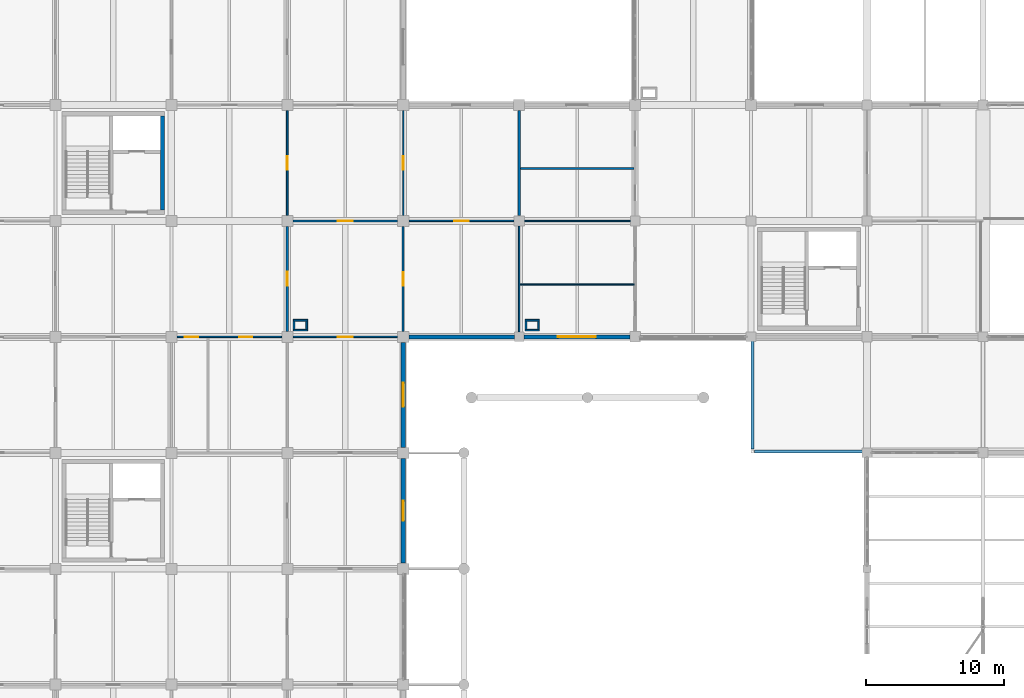
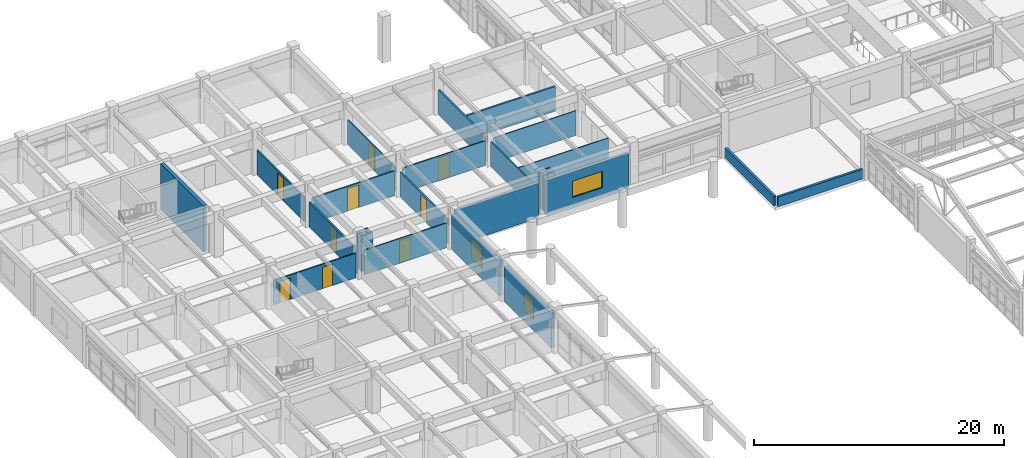
# One storey, part 82 of 99: 28 walls, 9 doors, 3 windows, 12 openings.
"""IFC4 building model written with IfcOpenShell, lengths in metres."""

from ifc_helpers import new_model, si_unit, direction, frame, frame_2d, origin, place, context, subcontext, project, spatial, rectangle, extrude, material, layer, layer_set, type_object, element, fill, save


model = new_model("IFC4")

# Units and contexts
model_context = context("Model", 3, precision=1e-05, world=origin(), true_north=direction((0.0, 1.0)))
body_context = subcontext(model_context, "Body", "Model", "MODEL_VIEW")
ifc_project = project(units=[si_unit("LENGTHUNIT", "METRE"), si_unit("AREAUNIT", "SQUARE_METRE"), si_unit("VOLUMEUNIT", "CUBIC_METRE"), si_unit("PLANEANGLEUNIT", "RADIAN"), si_unit("MASSUNIT", "GRAM", prefix="KILO")], contexts=[model_context])

# Site, building, storey
site_placement = place(None, origin())
site = spatial("IfcSite", under=ifc_project, at=site_placement, CompositionType="ELEMENT")
building_placement = place(site_placement, origin())
building = spatial("IfcBuilding", under=site, at=building_placement, Name="Porcellanite Civic Hall", CompositionType="ELEMENT")
storey_placement = place(building_placement, frame((0.0, 0.0, 5.760009765625)))
storey = spatial("IfcBuildingStorey", under=building, at=storey_placement, Name="L01", CompositionType="ELEMENT", Elevation=5.760009765625)

# Walls
ifc_material_1 = material(Name="Concrete N40 (40 MPa)", Category="concrete")
ifc_layer_1 = layer(ifc_material_1, 0.300048828125)
ifc_layer_set_1 = layer_set([ifc_layer_1], Name="Concrete N40 (40 MPa)")
wall_type_1 = type_object("IfcWallType", Name="CW-SH300", PredefinedType="SHEAR", material=ifc_layer_set_1)
wall_1_placement = place(storey_placement, frame((16.169921875, 66.419921875, 0.0), z_axis=(0.0, 0.0, 1.0), x_axis=(0.0, -1.0, 0.0)))
element("IfcWall", 1, at=wall_1_placement, inside=storey, type_object=wall_type_1, Name="Core wall C2 L01 E", PredefinedType="SHEAR", context=body_context, shape_type="SweptSolid", body=[
    extrude(rectangle(XDim=6.83984375, YDim=0.300048828125, at=frame_2d((3.419921875, 0.0))), origin(), (0.0, 0.0, 1.0), 4.5),
])
ifc_material_2 = material(Name="Precast concrete N40 (40 MPa)", Category="concrete")
ifc_layer_2 = layer(ifc_material_2, 0.280029296875)
ifc_layer_set_2 = layer_set([ifc_layer_2], Name="Precast concrete N40 (40 MPa)")
wall_type_2 = type_object("IfcWallType", Name="EW-CLO280", PredefinedType="SOLIDWALL", material=ifc_layer_set_2)
wall_2_placement = place(storey_placement, frame((41.64892578125, 50.39990234375, 0.0), z_axis=(0.0, 0.0, 1.0), x_axis=(-1.0, 0.0, 0.0)))
element("IfcWall", 2, at=wall_2_placement, inside=storey, type_object=wall_type_2, Name="Exterior wall L01 S 5-7", PredefinedType="SOLIDWALL", context=body_context, shape_type="SweptSolid", body=[
    extrude(rectangle(XDim=7.64794921875, YDim=0.280029296875, at=frame_2d((3.823974609375, 0.0))), origin(), (0.0, 0.0, 1.0), 3.39990234375),
])

# Wall, opening, window
wall_3_placement = place(storey_placement, frame((50.02392578125, 50.39990234375, 0.0), z_axis=(0.0, 0.0, 1.0), x_axis=(-1.0, 0.0, 0.0)))
wall_3 = element("IfcWall", 3, at=wall_3_placement, inside=storey, type_object=wall_type_2, Name="Exterior wall L01 S 6-7", PredefinedType="SOLIDWALL", context=body_context, shape_type="SweptSolid", body=[
    extrude(rectangle(XDim=7.6728515625, YDim=0.280029296875, at=frame_2d((3.83642578125, 0.0))), origin(), (0.0, 0.0, 1.0), 3.39990234375),
])
opening_1_placement = place(wall_3_placement, frame((2.4619140625, 0.0, 0.89990234375)))
opening_1 = element("IfcOpeningElement", 4, at=opening_1_placement, cuts=wall_3, Name="Opening W37", PredefinedType="OPENING", context=body_context, shape_type="SweptSolid", body=[
    extrude(rectangle(XDim=2.75, YDim=1.60009765625, at=frame_2d((1.375, 0.800048828125))), frame((0.0, 0.14013671875, 0.0), z_axis=(0.0, -1.0, 0.0), x_axis=(1.0, 0.0, 0.0)), (0.0, 0.0, 1.0), 0.280029296875),
])
ifc_material_3 = material(Name="Cyclone laminated low-E glazing in anodised aluminium frame", Category="aluminium")
window_type_1 = type_object("IfcWindowType", Name="WN-37", PartitioningType="TRIPLE_PANEL_VERTICAL", PredefinedType="WINDOW", material=ifc_material_3)
window_1_placement = place(opening_1_placement, origin())
window_1 = element("IfcWindow", 5, at=window_1_placement, inside=storey, type_object=window_type_1, Name="Window W37 L01 S 6-7", OverallHeight=1.60009765625, OverallWidth=2.75, PartitioningType="SINGLE_PANEL", PredefinedType="WINDOW", context=body_context, shape_type="SweptSolid", body=[
    extrude(rectangle(XDim=2.75, YDim=1.60009765625, at=frame_2d((1.375, 0.800048828125))), frame((0.0, 0.030029296875, 0.0), z_axis=(0.0, -1.0, 0.0), x_axis=(1.0, 0.0, 0.0)), (0.0, 0.0, 1.0), 0.06005859375),
])
fill(opening_1, window_1)

ifc_material_4 = material(Name="Precast concrete N40 (40 MPa)", Category="concrete")
ifc_layer_3 = layer(ifc_material_4, 0.320068359375)
ifc_layer_set_3 = layer_set([ifc_layer_3], Name="Precast concrete N40 (40 MPa)")
wall_type_3 = type_object("IfcWallType", Name="EW-COM320", PredefinedType="SOLIDWALL", material=ifc_layer_set_3)
wall_4_placement = place(storey_placement, frame((33.60009765625, 41.59912109375, 0.0), z_axis=(0.0, 0.0, 1.0), x_axis=(0.0, -1.0, 0.0)))
wall_4 = element("IfcWall", 6, at=wall_4_placement, inside=storey, type_object=wall_type_3, Name="Exterior wall L01 E 4-5", PredefinedType="SOLIDWALL", context=body_context, shape_type="SweptSolid", body=[
    extrude(rectangle(XDim=7.59814453125, YDim=0.320068359375, at=frame_2d((3.799072265625, 0.0))), origin(), (0.0, 0.0, 1.0), 3.39990234375),
])
opening_2_placement = place(wall_4_placement, frame((3.073974609375, 0.0, 0.89990234375)))
opening_2 = element("IfcOpeningElement", 7, at=opening_2_placement, cuts=wall_4, Name="Opening W30", PredefinedType="OPENING", context=body_context, shape_type="SweptSolid", body=[
    extrude(rectangle(XDim=1.449951171875, YDim=1.85009765625, at=frame_2d((0.72509765625, 0.925048828125))), frame((0.0, 0.16015625, 0.0), z_axis=(0.0, -1.0, 0.0), x_axis=(1.0, 0.0, 0.0)), (0.0, 0.0, 1.0), 0.320068359375),
])
ifc_material_5 = material(Name="Cyclone laminated low-E glazing in anodised aluminium frame", Category="aluminium")
window_type_2 = type_object("IfcWindowType", Name="WN-30", PartitioningType="SINGLE_PANEL", PredefinedType="WINDOW", material=ifc_material_5)
window_2_placement = place(opening_2_placement, origin())
window_2 = element("IfcWindow", 8, at=window_2_placement, inside=storey, type_object=window_type_2, Name="Window W30 L01 E 4-5", OverallHeight=1.85009765625, OverallWidth=1.449951171875, PartitioningType="SINGLE_PANEL", PredefinedType="WINDOW", context=body_context, shape_type="SweptSolid", body=[
    extrude(rectangle(XDim=1.449951171875, YDim=1.85009765625, at=frame_2d((0.72509765625, 0.925048828125))), frame((0.0, 0.030029296875, 0.0), z_axis=(0.0, -1.0, 0.0), x_axis=(1.0, 0.0, 0.0)), (0.0, 0.0, 1.0), 0.06005859375),
])
fill(opening_2, window_2)

wall_5_placement = place(storey_placement, frame((33.60009765625, 49.9990234375, 0.0), z_axis=(0.0, 0.0, 1.0), x_axis=(0.0, -1.0, 0.0)))
wall_5 = element("IfcWall", 9, at=wall_5_placement, inside=storey, type_object=wall_type_3, Name="Exterior wall L01 E 4-6", PredefinedType="SOLIDWALL", context=body_context, shape_type="SweptSolid", body=[
    extrude(rectangle(XDim=7.59814453125, YDim=0.320068359375, at=frame_2d((3.799072265625, 0.0))), origin(), (0.0, 0.0, 1.0), 3.39990234375),
])
opening_3_placement = place(wall_5_placement, frame((2.924072265625, 0.0, 0.89990234375)))
opening_3 = element("IfcOpeningElement", 10, at=opening_3_placement, cuts=wall_5, Name="Opening W31", PredefinedType="OPENING", context=body_context, shape_type="SweptSolid", body=[
    extrude(rectangle(XDim=1.75, YDim=1.949951171875, at=frame_2d((0.875, 0.97509765625))), frame((0.0, 0.16015625, 0.0), z_axis=(0.0, -1.0, 0.0), x_axis=(1.0, 0.0, 0.0)), (0.0, 0.0, 1.0), 0.320068359375),
])
ifc_material_6 = material(Name="Cyclone laminated low-E glazing in anodised aluminium frame", Category="aluminium")
window_type_3 = type_object("IfcWindowType", Name="WN-31", PartitioningType="DOUBLE_PANEL_VERTICAL", PredefinedType="WINDOW", material=ifc_material_6)
window_3_placement = place(opening_3_placement, origin())
window_3 = element("IfcWindow", 11, at=window_3_placement, inside=storey, type_object=window_type_3, Name="Window W31 L01 E 4-6", OverallHeight=1.949951171875, OverallWidth=1.75, PartitioningType="SINGLE_PANEL", PredefinedType="WINDOW", context=body_context, shape_type="SweptSolid", body=[
    extrude(rectangle(XDim=1.75, YDim=1.949951171875, at=frame_2d((0.875, 0.97509765625))), frame((0.0, 0.030029296875, 0.0), z_axis=(0.0, -1.0, 0.0), x_axis=(1.0, 0.0, 0.0)), (0.0, 0.0, 1.0), 0.06005859375),
])
fill(opening_3, window_3)

# Walls
ifc_material_7 = material(Name="Fire-rated shaftwall plasterboard on steel studs", Category="steel")
ifc_layer_4 = layer(ifc_material_7, 0.117919921875)
ifc_layer_set_4 = layer_set([ifc_layer_4], Name="Fire-rated shaftwall plasterboard on steel studs")
wall_type_4 = type_object("IfcWallType", Name="IW-FR118", PredefinedType="PARTITIONING", material=ifc_layer_set_4)
for number, where, z_axis, x_axis, name in (
    (12, (25.632080078125, 50.89111328125, 0.0), (0.0, 0.0, 1.0), (1.0, 0.0, 0.0), "Fire riser shaftwall S L01 3-6"),
    (13, (25.632080078125, 51.60888671875, 0.0), (0.0, 0.0, 1.0), (1.0, 0.0, 0.0), "Fire riser shaftwall N L01 3-6"),
):
    element("IfcWall", number, at=place(storey_placement, frame(where, z_axis=z_axis, x_axis=x_axis)), inside=storey, type_object=wall_type_4, Name=name, PredefinedType="PARTITIONING", context=body_context, shape_type="SweptSolid", body=[
        extrude(rectangle(XDim=1.035888671875, YDim=0.117919921875, at=frame_2d((0.51806640625, 0.0))), origin(), (0.0, 0.0, 1.0), 3.47998046875),
    ])
for number, where, z_axis, x_axis, name in (
    (14, (25.69091796875, 50.949951171875, 0.0), (0.0, 0.0, 1.0), (0.0, 1.0, 0.0), "Fire riser shaftwall W L01 3-6"),
    (15, (26.60888671875, 50.949951171875, 0.0), (0.0, 0.0, 1.0), (0.0, 1.0, 0.0), "Fire riser shaftwall E L01 3-6"),
):
    element("IfcWall", number, at=place(storey_placement, frame(where, z_axis=z_axis, x_axis=x_axis)), inside=storey, type_object=wall_type_4, Name=name, PredefinedType="PARTITIONING", context=body_context, shape_type="SweptSolid", body=[
        extrude(rectangle(XDim=0.60009765625, YDim=0.117919921875, at=frame_2d((0.300048828125, 0.0))), origin(), (0.0, 0.0, 1.0), 3.47998046875),
    ])
for number, where, z_axis, x_axis, name in (
    (16, (42.431884765625, 50.89111328125, 0.0), (0.0, 0.0, 1.0), (1.0, 0.0, 0.0), "Fire riser shaftwall S L01 5-6"),
    (17, (42.431884765625, 51.60888671875, 0.0), (0.0, 0.0, 1.0), (1.0, 0.0, 0.0), "Fire riser shaftwall N L01 5-6"),
):
    element("IfcWall", number, at=place(storey_placement, frame(where, z_axis=z_axis, x_axis=x_axis)), inside=storey, type_object=wall_type_4, Name=name, PredefinedType="PARTITIONING", context=body_context, shape_type="SweptSolid", body=[
        extrude(rectangle(XDim=1.0361328125, YDim=0.117919921875, at=frame_2d((0.51806640625, 0.0))), origin(), (0.0, 0.0, 1.0), 3.47998046875),
    ])
for number, where, z_axis, x_axis, name in (
    (18, (42.490966796875, 50.949951171875, 0.0), (0.0, 0.0, 1.0), (0.0, 1.0, 0.0), "Fire riser shaftwall W L01 5-6"),
    (19, (43.408935546875, 50.949951171875, 0.0), (0.0, 0.0, 1.0), (0.0, 1.0, 0.0), "Fire riser shaftwall E L01 5-6"),
):
    element("IfcWall", number, at=place(storey_placement, frame(where, z_axis=z_axis, x_axis=x_axis)), inside=storey, type_object=wall_type_4, Name=name, PredefinedType="PARTITIONING", context=body_context, shape_type="SweptSolid", body=[
        extrude(rectangle(XDim=0.60009765625, YDim=0.117919921875, at=frame_2d((0.300048828125, 0.0))), origin(), (0.0, 0.0, 1.0), 3.47998046875),
    ])
ifc_material_8 = material(Name="Insulated acoustic plasterboard on light-gauge steel studs", Category="steel")
ifc_layer_5 = layer(ifc_material_8, 0.087890625)
ifc_layer_set_5 = layer_set([ifc_layer_5], Name="Insulated acoustic plasterboard on light-gauge steel studs")
wall_type_5 = type_object("IfcWallType", Name="IW-PT088", PredefinedType="PARTITIONING", material=ifc_layer_set_5)
wall_6_placement = place(storey_placement, frame((42.376953125, 58.800048828125, 0.0), z_axis=(0.0, 0.0, 1.0), x_axis=(1.0, 0.0, 0.0)))
element("IfcWall", 20, at=wall_6_placement, inside=storey, type_object=wall_type_5, Name="Partition L01 H 6-7", PredefinedType="PARTITIONING", context=body_context, shape_type="SweptSolid", body=[
    extrude(rectangle(XDim=7.671142578125, YDim=0.087890625, at=frame_2d((3.83544921875, 0.0))), origin(), (0.0, 0.0, 1.0), 2.39990234375),
])
wall_7_placement = place(storey_placement, frame((42.0595703125, 54.199951171875, 0.0), z_axis=(0.0, 0.0, 1.0), x_axis=(1.0, 0.0, 0.0)))
element("IfcWall", 21, at=wall_7_placement, inside=storey, type_object=wall_type_5, Name="Partition L01 sub 6-7", PredefinedType="PARTITIONING", context=body_context, shape_type="SweptSolid", body=[
    extrude(rectangle(XDim=8.29443359375, YDim=0.087890625, at=frame_2d((4.147216796875, 0.0))), origin(), (0.0, 0.0, 1.0), 2.39990234375),
])

# Wall, opening, door
ifc_material_9 = material(Name="Insulated acoustic plasterboard on light-gauge steel studs", Category="steel")
ifc_layer_6 = layer(ifc_material_9, 0.094970703125)
ifc_layer_set_6 = layer_set([ifc_layer_6], Name="Insulated acoustic plasterboard on light-gauge steel studs")
wall_type_6 = type_object("IfcWallType", Name="IW-PT095", PredefinedType="PARTITIONING", material=ifc_layer_set_6)
wall_8_placement = place(storey_placement, frame((33.60009765625, 59.201904296875, 0.0), z_axis=(0.0, 0.0, 1.0), x_axis=(0.0, 1.0, 0.0)))
wall_8 = element("IfcWall", 22, at=wall_8_placement, inside=storey, type_object=wall_type_6, Name="Partition L01 V 4-8", PredefinedType="PARTITIONING", context=body_context, shape_type="SweptSolid", body=[
    extrude(rectangle(XDim=7.59619140625, YDim=0.094970703125, at=frame_2d((3.798095703125, 0.0))), origin(), (0.0, 0.0, 1.0), 2.39990234375),
])
opening_4_placement = place(wall_8_placement, frame((3.30810546875, 0.0, 0.0)))
opening_4 = element("IfcOpeningElement", 23, at=opening_4_placement, cuts=wall_8, Name="Opening D-L01-291", PredefinedType="OPENING", context=body_context, shape_type="SweptSolid", body=[
    extrude(rectangle(XDim=0.97998046875, YDim=2.179931640625, at=frame_2d((0.489990234375, 1.08984375))), frame((0.0, 0.04736328125, 0.0), z_axis=(0.0, -1.0, 0.0), x_axis=(1.0, 0.0, 0.0)), (0.0, 0.0, 1.0), 0.094970703125),
])
ifc_material_10 = material(Name="Solid-core spotted-gum timber", Category="wood")
door_type_1 = type_object("IfcDoorType", Name="DR-RM098", OperationType="NOTDEFINED", PredefinedType="DOOR", material=ifc_material_10)
door_1_placement = place(opening_4_placement, origin())
door_1 = element("IfcDoor", 24, at=door_1_placement, inside=storey, type_object=door_type_1, Name="Interior door D-L01-291", OperationType="SINGLE_SWING_LEFT", OverallHeight=2.179931640625, OverallWidth=0.97998046875, PredefinedType="DOOR", context=body_context, shape_type="SweptSolid", body=[
    extrude(rectangle(XDim=0.97998046875, YDim=2.179931640625, at=frame_2d((0.489990234375, 1.08984375))), frame((0.0, 0.02490234375, 0.0), z_axis=(0.0, -1.0, 0.0), x_axis=(1.0, 0.0, 0.0)), (0.0, 0.0, 1.0), 0.050048828125),
])
fill(opening_4, door_1)

# Wall, openings, doors
ifc_material_11 = material(Name="Insulated acoustic plasterboard on light-gauge steel studs", Category="steel")
ifc_layer_7 = layer(ifc_material_11, 0.10498046875)
ifc_layer_set_7 = layer_set([ifc_layer_7], Name="Insulated acoustic plasterboard on light-gauge steel studs")
wall_type_7 = type_object("IfcWallType", Name="IW-PT105", PredefinedType="PARTITIONING", material=ifc_layer_set_7)
wall_9_placement = place(storey_placement, frame((17.201904296875, 50.39990234375, 0.0), z_axis=(0.0, 0.0, 1.0), x_axis=(1.0, 0.0, 0.0)))
wall_9 = element("IfcWall", 25, at=wall_9_placement, inside=storey, type_object=wall_type_7, Name="Partition L01 H 3-6", PredefinedType="PARTITIONING", context=body_context, shape_type="SweptSolid", body=[
    extrude(rectangle(XDim=7.59619140625, YDim=0.10498046875, at=frame_2d((3.798095703125, 0.0))), origin(), (0.0, 0.0, 1.0), 2.39990234375),
])
opening_5_placement = place(wall_9_placement, frame((0.5830078125, 0.0, 0.0)))
opening_5 = element("IfcOpeningElement", 26, at=opening_5_placement, cuts=wall_9, Name="Opening D-L01-172", PredefinedType="OPENING", context=body_context, shape_type="SweptSolid", body=[
    extrude(rectangle(XDim=0.9599609375, YDim=2.10009765625, at=frame_2d((0.47998046875, 1.050048828125))), frame((0.0, 0.052490234375, 0.0), z_axis=(0.0, -1.0, 0.0), x_axis=(1.0, 0.0, 0.0)), (0.0, 0.0, 1.0), 0.10498046875),
])
opening_6_placement = place(wall_9_placement, frame((4.52294921875, 0.0, 0.0)))
opening_6 = element("IfcOpeningElement", 27, at=opening_6_placement, cuts=wall_9, Name="Opening D-L01-173", PredefinedType="OPENING", context=body_context, shape_type="SweptSolid", body=[
    extrude(rectangle(XDim=0.919921875, YDim=2.10009765625, at=frame_2d((0.4599609375, 1.050048828125))), frame((0.0, 0.052490234375, 0.0), z_axis=(0.0, -1.0, 0.0), x_axis=(1.0, 0.0, 0.0)), (0.0, 0.0, 1.0), 0.10498046875),
])
ifc_material_12 = material(Name="Moisture-resistant laminate solid-core timber", Category="wood")
door_type_2 = type_object("IfcDoorType", Name="DR-WC092", OperationType="NOTDEFINED", PredefinedType="DOOR", material=ifc_material_12)
door_2_placement = place(opening_6_placement, origin())
door_2 = element("IfcDoor", 28, at=door_2_placement, inside=storey, type_object=door_type_2, Name="Interior door D-L01-173", OperationType="SINGLE_SWING_LEFT", OverallHeight=2.10009765625, OverallWidth=0.919921875, PredefinedType="DOOR", context=body_context, shape_type="SweptSolid", body=[
    extrude(rectangle(XDim=0.919921875, YDim=2.10009765625, at=frame_2d((0.4599609375, 1.050048828125))), frame((0.0, 0.02490234375, 0.0), z_axis=(0.0, -1.0, 0.0), x_axis=(1.0, 0.0, 0.0)), (0.0, 0.0, 1.0), 0.050048828125),
])
fill(opening_6, door_2)
ifc_material_13 = material(Name="Moisture-resistant laminate solid-core timber", Category="wood")
door_type_3 = type_object("IfcDoorType", Name="DR-WC096", OperationType="NOTDEFINED", PredefinedType="DOOR", material=ifc_material_13)
door_3_placement = place(opening_5_placement, origin())
door_3 = element("IfcDoor", 29, at=door_3_placement, inside=storey, type_object=door_type_3, Name="Interior door D-L01-172", OperationType="SINGLE_SWING_RIGHT", OverallHeight=2.10009765625, OverallWidth=0.9599609375, PredefinedType="DOOR", context=body_context, shape_type="SweptSolid", body=[
    extrude(rectangle(XDim=0.9599609375, YDim=2.10009765625, at=frame_2d((0.47998046875, 1.050048828125))), frame((0.0, 0.02490234375, 0.0), z_axis=(0.0, -1.0, 0.0), x_axis=(1.0, 0.0, 0.0)), (0.0, 0.0, 1.0), 0.050048828125),
])
fill(opening_5, door_3)

# Wall, opening, door
ifc_material_14 = material(Name="Insulated acoustic plasterboard on light-gauge steel studs", Category="steel")
ifc_layer_8 = layer(ifc_material_14, 0.114990234375)
ifc_layer_set_8 = layer_set([ifc_layer_8], Name="Insulated acoustic plasterboard on light-gauge steel studs")
wall_type_8 = type_object("IfcWallType", Name="IW-PT115", PredefinedType="PARTITIONING", material=ifc_layer_set_8)
wall_10_placement = place(storey_placement, frame((34.001953125, 58.800048828125, 0.0), z_axis=(0.0, 0.0, 1.0), x_axis=(1.0, 0.0, 0.0)))
wall_10 = element("IfcWall", 30, at=wall_10_placement, inside=storey, type_object=wall_type_8, Name="Partition L01 H 5-7", PredefinedType="PARTITIONING", context=body_context, shape_type="SweptSolid", body=[
    extrude(rectangle(XDim=7.62109375, YDim=0.114990234375, at=frame_2d((3.810546875, 0.0))), origin(), (0.0, 0.0, 1.0), 2.39990234375),
])
opening_7_placement = place(wall_10_placement, frame((3.280029296875, 0.0, 0.0)))
opening_7 = element("IfcOpeningElement", 31, at=opening_7_placement, cuts=wall_10, Name="Opening D-L01-235", PredefinedType="OPENING", context=body_context, shape_type="SweptSolid", body=[
    extrude(rectangle(XDim=1.06005859375, YDim=2.219970703125, at=frame_2d((0.530029296875, 1.10986328125))), frame((0.0, 0.0576171875, 0.0), z_axis=(0.0, -1.0, 0.0), x_axis=(1.0, 0.0, 0.0)), (0.0, 0.0, 1.0), 0.114990234375),
])
ifc_material_15 = material(Name="Solid-core spotted-gum timber", Category="wood")
door_type_4 = type_object("IfcDoorType", Name="DR-RM106", OperationType="NOTDEFINED", PredefinedType="DOOR", material=ifc_material_15)
door_4_placement = place(opening_7_placement, origin())
door_4 = element("IfcDoor", 32, at=door_4_placement, inside=storey, type_object=door_type_4, Name="Interior door D-L01-235", OperationType="SINGLE_SWING_LEFT", OverallHeight=2.219970703125, OverallWidth=1.06005859375, PredefinedType="DOOR", context=body_context, shape_type="SweptSolid", body=[
    extrude(rectangle(XDim=1.06005859375, YDim=2.219970703125, at=frame_2d((0.530029296875, 1.10986328125))), frame((0.0, 0.02490234375, 0.0), z_axis=(0.0, -1.0, 0.0), x_axis=(1.0, 0.0, 0.0)), (0.0, 0.0, 1.0), 0.050048828125),
])
fill(opening_7, door_4)

# Wall
wall_11_placement = place(storey_placement, frame((42.0, 50.751953125, 0.0), z_axis=(0.0, 0.0, 1.0), x_axis=(0.0, 1.0, 0.0)))
element("IfcWall", 33, at=wall_11_placement, inside=storey, type_object=wall_type_8, Name="Partition L01 V 5-7", PredefinedType="PARTITIONING", context=body_context, shape_type="SweptSolid", body=[
    extrude(rectangle(XDim=7.671142578125, YDim=0.114990234375, at=frame_2d((3.83544921875, 0.0))), origin(), (0.0, 0.0, 1.0), 2.39990234375),
])

# Wall, opening, door
ifc_material_16 = material(Name="Insulated acoustic plasterboard on light-gauge steel studs", Category="steel")
ifc_layer_9 = layer(ifc_material_16, 0.125)
ifc_layer_set_9 = layer_set([ifc_layer_9], Name="Insulated acoustic plasterboard on light-gauge steel studs")
wall_type_9 = type_object("IfcWallType", Name="IW-PT125", PredefinedType="PARTITIONING", material=ifc_layer_set_9)
wall_12_placement = place(storey_placement, frame((25.199951171875, 59.201904296875, 0.0), z_axis=(0.0, 0.0, 1.0), x_axis=(0.0, 1.0, 0.0)))
wall_12 = element("IfcWall", 34, at=wall_12_placement, inside=storey, type_object=wall_type_9, Name="Partition L01 V 3-8", PredefinedType="PARTITIONING", context=body_context, shape_type="SweptSolid", body=[
    extrude(rectangle(XDim=7.59619140625, YDim=0.125, at=frame_2d((3.798095703125, 0.0))), origin(), (0.0, 0.0, 1.0), 2.39990234375),
])
opening_8_placement = place(wall_12_placement, frame((3.298095703125, 0.0, 0.0)))
opening_8 = element("IfcOpeningElement", 35, at=opening_8_placement, cuts=wall_12, Name="Opening D-L01-212", PredefinedType="OPENING", context=body_context, shape_type="SweptSolid", body=[
    extrude(rectangle(XDim=1.0, YDim=2.199951171875, at=frame_2d((0.5, 1.10009765625))), frame((0.0, 0.0625, 0.0), z_axis=(0.0, -1.0, 0.0), x_axis=(1.0, 0.0, 0.0)), (0.0, 0.0, 1.0), 0.125),
])
ifc_material_17 = material(Name="Solid-core spotted-gum timber", Category="wood")
door_type_5 = type_object("IfcDoorType", Name="DR-RM100", OperationType="NOTDEFINED", PredefinedType="DOOR", material=ifc_material_17)
door_5_placement = place(opening_8_placement, origin())
door_5 = element("IfcDoor", 36, at=door_5_placement, inside=storey, type_object=door_type_5, Name="Interior door D-L01-212", OperationType="SINGLE_SWING_RIGHT", OverallHeight=2.199951171875, OverallWidth=1.0, PredefinedType="DOOR", context=body_context, shape_type="SweptSolid", body=[
    extrude(rectangle(XDim=1.0, YDim=2.199951171875, at=frame_2d((0.5, 1.10009765625))), frame((0.0, 0.02490234375, 0.0), z_axis=(0.0, -1.0, 0.0), x_axis=(1.0, 0.0, 0.0)), (0.0, 0.0, 1.0), 0.050048828125),
])
fill(opening_8, door_5)

ifc_material_18 = material(Name="Insulated acoustic plasterboard on light-gauge steel studs", Category="steel")
ifc_layer_10 = layer(ifc_material_18, 0.14501953125)
ifc_layer_set_10 = layer_set([ifc_layer_10], Name="Insulated acoustic plasterboard on light-gauge steel studs")
wall_type_10 = type_object("IfcWallType", Name="IW-PT145", PredefinedType="PARTITIONING", material=ifc_layer_set_10)
wall_13_placement = place(storey_placement, frame((25.60205078125, 58.800048828125, 0.0), z_axis=(0.0, 0.0, 1.0), x_axis=(1.0, 0.0, 0.0)))
wall_13 = element("IfcWall", 37, at=wall_13_placement, inside=storey, type_object=wall_type_10, Name="Partition L01 H 4-7", PredefinedType="PARTITIONING", context=body_context, shape_type="SweptSolid", body=[
    extrude(rectangle(XDim=7.595947265625, YDim=0.14501953125, at=frame_2d((3.7978515625, 0.0))), origin(), (0.0, 0.0, 1.0), 2.39990234375),
])
opening_9_placement = place(wall_13_placement, frame((3.26806640625, 0.0, 0.0)))
opening_9 = element("IfcOpeningElement", 38, at=opening_9_placement, cuts=wall_13, Name="Opening D-L01-274", PredefinedType="OPENING", context=body_context, shape_type="SweptSolid", body=[
    extrude(rectangle(XDim=1.06005859375, YDim=2.219970703125, at=frame_2d((0.530029296875, 1.10986328125))), frame((0.0, 0.072509765625, 0.0), z_axis=(0.0, -1.0, 0.0), x_axis=(1.0, 0.0, 0.0)), (0.0, 0.0, 1.0), 0.14501953125),
])
door_6_placement = place(opening_9_placement, origin())
door_6 = element("IfcDoor", 39, at=door_6_placement, inside=storey, type_object=door_type_4, Name="Interior door D-L01-274", OperationType="SINGLE_SWING_RIGHT", OverallHeight=2.219970703125, OverallWidth=1.06005859375, PredefinedType="DOOR", context=body_context, shape_type="SweptSolid", body=[
    extrude(rectangle(XDim=1.06005859375, YDim=2.219970703125, at=frame_2d((0.530029296875, 1.10986328125))), frame((0.0, 0.02490234375, 0.0), z_axis=(0.0, -1.0, 0.0), x_axis=(1.0, 0.0, 0.0)), (0.0, 0.0, 1.0), 0.050048828125),
])
fill(opening_9, door_6)

wall_14_placement = place(storey_placement, frame((33.60009765625, 50.802001953125, 0.0), z_axis=(0.0, 0.0, 1.0), x_axis=(0.0, 1.0, 0.0)))
wall_14 = element("IfcWall", 40, at=wall_14_placement, inside=storey, type_object=wall_type_10, Name="Partition L01 V 4-7", PredefinedType="PARTITIONING", context=body_context, shape_type="SweptSolid", body=[
    extrude(rectangle(XDim=7.595947265625, YDim=0.14501953125, at=frame_2d((3.7978515625, 0.0))), origin(), (0.0, 0.0, 1.0), 2.39990234375),
])
opening_10_placement = place(wall_14_placement, frame((3.318115234375, 0.0, 0.0)))
opening_10 = element("IfcOpeningElement", 41, at=opening_10_placement, cuts=wall_14, Name="Opening D-L01-266", PredefinedType="OPENING", context=body_context, shape_type="SweptSolid", body=[
    extrude(rectangle(XDim=0.9599609375, YDim=2.179931640625, at=frame_2d((0.47998046875, 1.08984375))), frame((0.0, 0.072509765625, 0.0), z_axis=(0.0, -1.0, 0.0), x_axis=(1.0, 0.0, 0.0)), (0.0, 0.0, 1.0), 0.14501953125),
])
ifc_material_19 = material(Name="Solid-core spotted-gum timber", Category="wood")
door_type_6 = type_object("IfcDoorType", Name="DR-RM096", OperationType="NOTDEFINED", PredefinedType="DOOR", material=ifc_material_19)
door_7_placement = place(opening_10_placement, origin())
door_7 = element("IfcDoor", 42, at=door_7_placement, inside=storey, type_object=door_type_6, Name="Interior door D-L01-266", OperationType="SINGLE_SWING_RIGHT", OverallHeight=2.179931640625, OverallWidth=0.9599609375, PredefinedType="DOOR", context=body_context, shape_type="SweptSolid", body=[
    extrude(rectangle(XDim=0.9599609375, YDim=2.179931640625, at=frame_2d((0.47998046875, 1.08984375))), frame((0.0, 0.02490234375, 0.0), z_axis=(0.0, -1.0, 0.0), x_axis=(1.0, 0.0, 0.0)), (0.0, 0.0, 1.0), 0.050048828125),
])
fill(opening_10, door_7)

ifc_material_20 = material(Name="Insulated acoustic plasterboard on light-gauge steel studs", Category="steel")
ifc_layer_11 = layer(ifc_material_20, 0.175048828125)
ifc_layer_set_11 = layer_set([ifc_layer_11], Name="Insulated acoustic plasterboard on light-gauge steel studs")
wall_type_11 = type_object("IfcWallType", Name="IW-PT175", PredefinedType="PARTITIONING", material=ifc_layer_set_11)
wall_15_placement = place(storey_placement, frame((25.199951171875, 50.802001953125, 0.0), z_axis=(0.0, 0.0, 1.0), x_axis=(0.0, 1.0, 0.0)))
wall_15 = element("IfcWall", 43, at=wall_15_placement, inside=storey, type_object=wall_type_11, Name="Partition L01 V 3-7", PredefinedType="PARTITIONING", context=body_context, shape_type="SweptSolid", body=[
    extrude(rectangle(XDim=7.595947265625, YDim=0.175048828125, at=frame_2d((3.7978515625, 0.0))), origin(), (0.0, 0.0, 1.0), 2.39990234375),
])
opening_11_placement = place(wall_15_placement, frame((3.2880859375, 0.0, 0.0)))
opening_11 = element("IfcOpeningElement", 44, at=opening_11_placement, cuts=wall_15, Name="Opening D-L01-211", PredefinedType="OPENING", context=body_context, shape_type="SweptSolid", body=[
    extrude(rectangle(XDim=1.02001953125, YDim=2.199951171875, at=frame_2d((0.510009765625, 1.10009765625))), frame((0.0, 0.08740234375, 0.0), z_axis=(0.0, -1.0, 0.0), x_axis=(1.0, 0.0, 0.0)), (0.0, 0.0, 1.0), 0.175048828125),
])
ifc_material_21 = material(Name="Solid-core spotted-gum timber", Category="wood")
door_type_7 = type_object("IfcDoorType", Name="DR-RM102", OperationType="NOTDEFINED", PredefinedType="DOOR", material=ifc_material_21)
door_8_placement = place(opening_11_placement, origin())
door_8 = element("IfcDoor", 45, at=door_8_placement, inside=storey, type_object=door_type_7, Name="Interior door D-L01-211", OperationType="SINGLE_SWING_LEFT", OverallHeight=2.199951171875, OverallWidth=1.02001953125, PredefinedType="DOOR", context=body_context, shape_type="SweptSolid", body=[
    extrude(rectangle(XDim=1.02001953125, YDim=2.199951171875, at=frame_2d((0.510009765625, 1.10009765625))), frame((0.0, 0.02490234375, 0.0), z_axis=(0.0, -1.0, 0.0), x_axis=(1.0, 0.0, 0.0)), (0.0, 0.0, 1.0), 0.050048828125),
])
fill(opening_11, door_8)

# Walls
wall_16_placement = place(storey_placement, frame((42.094482421875, 62.60009765625, 0.0), z_axis=(0.0, 0.0, 1.0), x_axis=(1.0, 0.0, 0.0)))
element("IfcWall", 46, at=wall_16_placement, inside=storey, type_object=wall_type_11, Name="Partition L01 sub 6-8", PredefinedType="PARTITIONING", context=body_context, shape_type="SweptSolid", body=[
    extrude(rectangle(XDim=8.22607421875, YDim=0.175048828125, at=frame_2d((4.113037109375, 0.0))), origin(), (0.0, 0.0, 1.0), 2.39990234375),
])
ifc_material_22 = material(Name="Insulated acoustic plasterboard on light-gauge steel studs", Category="steel")
ifc_layer_12 = layer(ifc_material_22, 0.18505859375)
ifc_layer_set_12 = layer_set([ifc_layer_12], Name="Insulated acoustic plasterboard on light-gauge steel studs")
wall_type_12 = type_object("IfcWallType", Name="IW-PT185", PredefinedType="PARTITIONING", material=ifc_layer_set_12)
wall_17_placement = place(storey_placement, frame((42.0, 59.177001953125, 0.0), z_axis=(0.0, 0.0, 1.0), x_axis=(0.0, 1.0, 0.0)))
element("IfcWall", 47, at=wall_17_placement, inside=storey, type_object=wall_type_12, Name="Partition L01 V 5-8", PredefinedType="PARTITIONING", context=body_context, shape_type="SweptSolid", body=[
    extrude(rectangle(XDim=7.62109375, YDim=0.18505859375, at=frame_2d((3.810546875, 0.0))), origin(), (0.0, 0.0, 1.0), 2.39990234375),
])

# Wall, opening, door
ifc_material_23 = material(Name="Acoustic timber-veneered operable panel system", Category="wood")
ifc_layer_13 = layer(ifc_material_23, 0.110107421875)
ifc_layer_set_13 = layer_set([ifc_layer_13], Name="Acoustic timber-veneered operable panel system")
wall_type_13 = type_object("IfcWallType", Name="MW-OP110", PredefinedType="MOVABLE", material=ifc_layer_set_13)
wall_18_placement = place(storey_placement, frame((25.60205078125, 50.39990234375, 0.0), z_axis=(0.0, 0.0, 1.0), x_axis=(1.0, 0.0, 0.0)))
wall_18 = element("IfcWall", 48, at=wall_18_placement, inside=storey, type_object=wall_type_13, Name="Partition L01 H 4-6", PredefinedType="MOVABLE", context=body_context, shape_type="SweptSolid", body=[
    extrude(rectangle(XDim=7.595947265625, YDim=0.110107421875, at=frame_2d((3.7978515625, 0.0))), origin(), (0.0, 0.0, 1.0), 2.39990234375),
])
opening_12_placement = place(wall_18_placement, frame((3.258056640625, 0.0, 0.0)))
opening_12 = element("IfcOpeningElement", 49, at=opening_12_placement, cuts=wall_18, Name="Opening D-L01-273", PredefinedType="OPENING", context=body_context, shape_type="SweptSolid", body=[
    extrude(rectangle(XDim=1.080078125, YDim=2.219970703125, at=frame_2d((0.5400390625, 1.10986328125))), frame((0.0, 0.05517578125, 0.0), z_axis=(0.0, -1.0, 0.0), x_axis=(1.0, 0.0, 0.0)), (0.0, 0.0, 1.0), 0.110107421875),
])
ifc_material_24 = material(Name="Solid-core spotted-gum timber", Category="wood")
door_type_8 = type_object("IfcDoorType", Name="DR-RM108", OperationType="NOTDEFINED", PredefinedType="DOOR", material=ifc_material_24)
door_9_placement = place(opening_12_placement, origin())
door_9 = element("IfcDoor", 50, at=door_9_placement, inside=storey, type_object=door_type_8, Name="Interior door D-L01-273", OperationType="SINGLE_SWING_LEFT", OverallHeight=2.219970703125, OverallWidth=1.080078125, PredefinedType="DOOR", context=body_context, shape_type="SweptSolid", body=[
    extrude(rectangle(XDim=1.080078125, YDim=2.219970703125, at=frame_2d((0.5400390625, 1.10986328125))), frame((0.0, 0.02490234375, 0.0), z_axis=(0.0, -1.0, 0.0), x_axis=(1.0, 0.0, 0.0)), (0.0, 0.0, 1.0), 0.050048828125),
])
fill(opening_12, door_9)

# Walls
ifc_material_25 = material(Name="Precast concrete N40 (40 MPa)", Category="concrete")
ifc_layer_14 = layer(ifc_material_25, 0.2099609375)
ifc_layer_set_14 = layer_set([ifc_layer_14], Name="Precast concrete N40 (40 MPa)")
wall_type_14 = type_object("IfcWallType", Name="WP-PAR3", PredefinedType="PARAPET", material=ifc_layer_set_14)
for number, where, z_axis, x_axis, name in (
    (51, (66.93994140625, 42.10498046875, 0.0), (0.0, 0.0, 1.0), (-1.0, 0.0, 0.0), "Roof parapet L01 S 8-6"),
    (52, (58.905029296875, 42.260009765625, 0.0), (0.0, 0.0, 1.0), (0.0, 1.0, 0.0), "Roof parapet L01 W 8-6"),
):
    element("IfcWall", number, at=place(storey_placement, frame(where, z_axis=z_axis, x_axis=x_axis)), inside=storey, type_object=wall_type_14, Name=name, PredefinedType="PARAPET", context=body_context, shape_type="SweptSolid", body=[
        extrude(rectangle(XDim=7.8798828125, YDim=0.2099609375, at=frame_2d((3.93994140625, 0.0))), origin(), (0.0, 0.0, 1.0), 0.949951171875),
    ])

save(model, "model.ifc")
